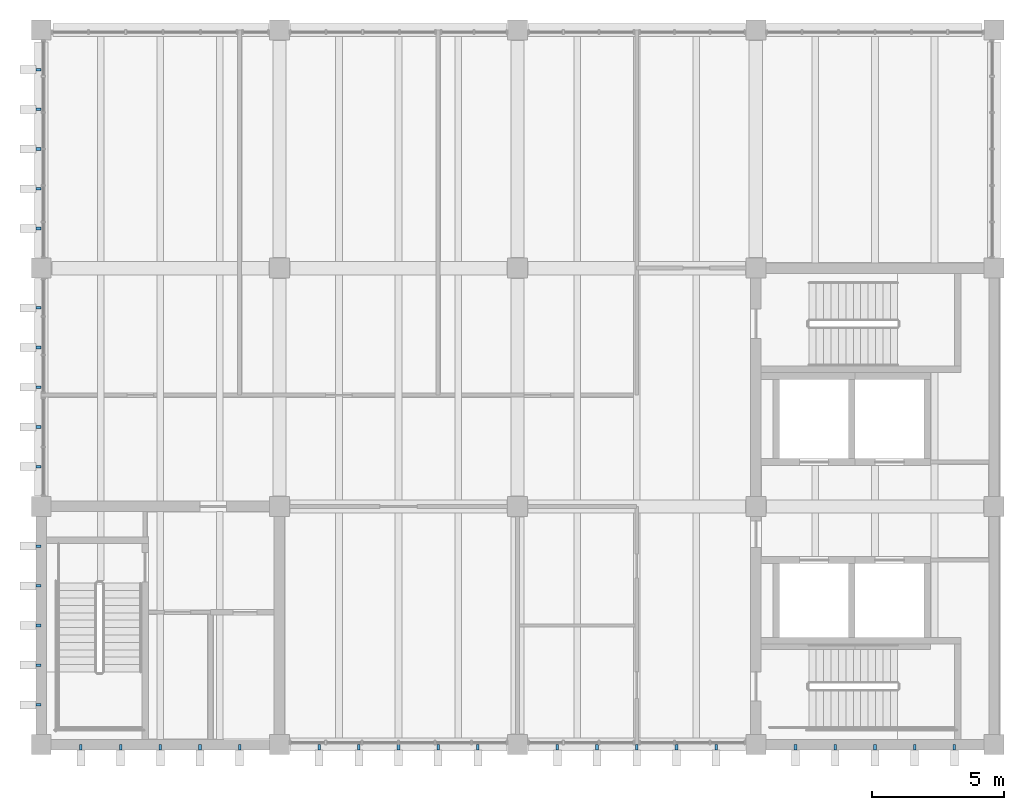
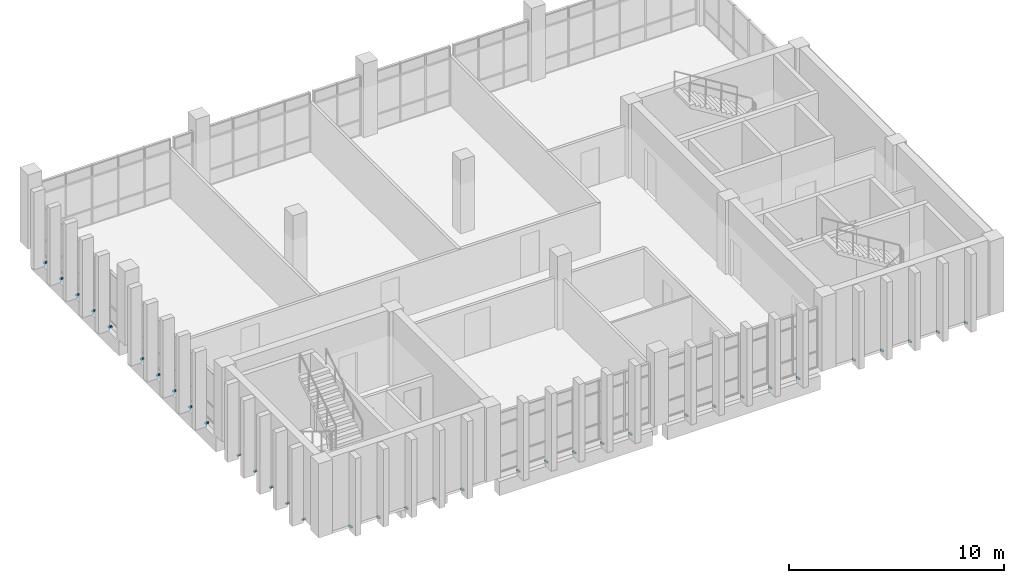
# One storey, part 11 of 14: 35 discrete accessories.
"""IFC4 building model written with IfcOpenShell, lengths in metres."""

from ifc_helpers import new_model, si_unit, direction, frame, origin, place, context, subcontext, project, spatial, polyline, outline, extrude, source, transform, mapped, material, type_object, element, save


model = new_model("IFC4")

# Units and contexts
model_context = context("Model", 3, precision=1e-05, world=origin(), true_north=direction((0.0, 1.0)))
body_context = subcontext(model_context, "Body", "Model", "MODEL_VIEW")
ifc_project = project(units=[si_unit("LENGTHUNIT", "METRE"), si_unit("AREAUNIT", "SQUARE_METRE"), si_unit("VOLUMEUNIT", "CUBIC_METRE"), si_unit("PLANEANGLEUNIT", "RADIAN"), si_unit("MASSUNIT", "GRAM", prefix="KILO")], contexts=[model_context])

# Site, building, storey
site_placement = place(None, origin())
site = spatial("IfcSite", under=ifc_project, at=site_placement, CompositionType="ELEMENT")
building_placement = place(site_placement, origin())
building = spatial("IfcBuilding", under=site, at=building_placement, Name="Merrow Basin Faculty of Sciences", CompositionType="ELEMENT")
storey_placement = place(building_placement, frame((0.0, 0.0, 27.0)))
storey = spatial("IfcBuildingStorey", under=building, at=storey_placement, Name="L06", CompositionType="ELEMENT", Elevation=27.0)

# Discrete accessories
ifc_material = material(Name="Steel ASTM A572 Gr 50", Category="steel")
discrete_accessory_type = type_object("IfcDiscreteAccessoryType", Name="Steel T bracket 100 x 80 fin", PredefinedType="BRACKET", material=ifc_material)
shared_shape = source(origin(), body_context, "Body", "SweptSolid", [
    extrude(outline(polyline([(0.0, 0.0), (0.10009765625, 0.0), (0.10009765625, 0.080078125), (0.0, 0.080078125), (0.0, 0.0)])), origin(), (0.0, 0.0, 1.0), 0.199951171875),
])
for number, where, z_axis, x_axis, name in (
    (1, (19.449951171875, 142.0, -0.199951171875), (0.0, -1.0, 0.0), (1.0, 0.0, 0.0), "Fin bracket SL06"),
    (2, (20.949951171875, 142.0, -0.199951171875), (0.0, -1.0, 0.0), (1.0, 0.0, 0.0), "Fin bracket SL06"),
    (3, (22.449951171875, 142.0, -0.199951171875), (0.0, -1.0, 0.0), (1.0, 0.0, 0.0), "Fin bracket SL06"),
    (4, (23.949951171875, 142.0, -0.199951171875), (0.0, -1.0, 0.0), (1.0, 0.0, 0.0), "Fin bracket SL06"),
    (5, (25.449951171875, 142.0, -0.199951171875), (0.0, -1.0, 0.0), (1.0, 0.0, 0.0), "Fin bracket SL06"),
    (6, (28.449951171875, 142.0, -0.199951171875), (0.0, -1.0, 0.0), (1.0, 0.0, 0.0), "Fin bracket SL06"),
    (7, (29.949951171875, 142.0, -0.199951171875), (0.0, -1.0, 0.0), (1.0, 0.0, 0.0), "Fin bracket SL06"),
    (8, (31.449951171875, 142.0, -0.199951171875), (0.0, -1.0, 0.0), (1.0, 0.0, 0.0), "Fin bracket SL06"),
    (9, (32.949951171875, 142.0, -0.199951171875), (0.0, -1.0, 0.0), (1.0, 0.0, 0.0), "Fin bracket SL06"),
    (10, (34.449951171875, 142.0, -0.199951171875), (0.0, -1.0, 0.0), (1.0, 0.0, 0.0), "Fin bracket SL06"),
    (11, (37.449951171875, 142.0, -0.199951171875), (0.0, -1.0, 0.0), (1.0, 0.0, 0.0), "Fin bracket SL06"),
    (12, (38.949951171875, 142.0, -0.199951171875), (0.0, -1.0, 0.0), (1.0, 0.0, 0.0), "Fin bracket SL06"),
    (13, (40.449951171875, 142.0, -0.199951171875), (0.0, -1.0, 0.0), (1.0, 0.0, 0.0), "Fin bracket SL06"),
    (14, (41.949951171875, 142.0, -0.199951171875), (0.0, -1.0, 0.0), (1.0, 0.0, 0.0), "Fin bracket SL06"),
    (15, (43.449951171875, 142.0, -0.199951171875), (0.0, -1.0, 0.0), (1.0, 0.0, 0.0), "Fin bracket SL06"),
    (16, (46.449951171875, 142.0, -0.199951171875), (0.0, -1.0, 0.0), (1.0, 0.0, 0.0), "Fin bracket SL06"),
    (17, (47.949951171875, 142.0, -0.199951171875), (0.0, -1.0, 0.0), (1.0, 0.0, 0.0), "Fin bracket SL06"),
    (18, (49.449951171875, 142.0, -0.199951171875), (0.0, -1.0, 0.0), (1.0, 0.0, 0.0), "Fin bracket SL06"),
    (19, (50.949951171875, 142.0, -0.199951171875), (0.0, -1.0, 0.0), (1.0, 0.0, 0.0), "Fin bracket SL06"),
    (20, (52.449951171875, 142.0, -0.199951171875), (0.0, -1.0, 0.0), (1.0, 0.0, 0.0), "Fin bracket SL06"),
    (21, (18.0, 143.550048828125, -0.199951171875), (-1.0, 0.0, 0.0), (0.0, -1.0, 0.0), "Fin bracket WL06"),
    (22, (18.0, 145.050048828125, -0.199951171875), (-1.0, 0.0, 0.0), (0.0, -1.0, 0.0), "Fin bracket WL06"),
    (23, (18.0, 146.550048828125, -0.199951171875), (-1.0, 0.0, 0.0), (0.0, -1.0, 0.0), "Fin bracket WL06"),
    (24, (18.0, 148.050048828125, -0.199951171875), (-1.0, 0.0, 0.0), (0.0, -1.0, 0.0), "Fin bracket WL06"),
    (25, (18.0, 149.550048828125, -0.199951171875), (-1.0, 0.0, 0.0), (0.0, -1.0, 0.0), "Fin bracket WL06"),
    (26, (18.0, 152.550048828125, -0.199951171875), (-1.0, 0.0, 0.0), (0.0, -1.0, 0.0), "Fin bracket WL06"),
    (27, (18.0, 154.050048828125, -0.199951171875), (-1.0, 0.0, 0.0), (0.0, -1.0, 0.0), "Fin bracket WL06"),
    (28, (18.0, 155.550048828125, -0.199951171875), (-1.0, 0.0, 0.0), (0.0, -1.0, 0.0), "Fin bracket WL06"),
    (29, (18.0, 157.050048828125, -0.199951171875), (-1.0, 0.0, 0.0), (0.0, -1.0, 0.0), "Fin bracket WL06"),
    (30, (18.0, 158.550048828125, -0.199951171875), (-1.0, 0.0, 0.0), (0.0, -1.0, 0.0), "Fin bracket WL06"),
    (31, (18.0, 161.550048828125, -0.199951171875), (-1.0, 0.0, 0.0), (0.0, -1.0, 0.0), "Fin bracket WL06"),
    (32, (18.0, 163.050048828125, -0.199951171875), (-1.0, 0.0, 0.0), (0.0, -1.0, 0.0), "Fin bracket WL06"),
    (33, (18.0, 164.550048828125, -0.199951171875), (-1.0, 0.0, 0.0), (0.0, -1.0, 0.0), "Fin bracket WL06"),
    (34, (18.0, 166.050048828125, -0.199951171875), (-1.0, 0.0, 0.0), (0.0, -1.0, 0.0), "Fin bracket WL06"),
    (35, (18.0, 167.550048828125, -0.199951171875), (-1.0, 0.0, 0.0), (0.0, -1.0, 0.0), "Fin bracket WL06"),
):
    element("IfcDiscreteAccessory", number, at=place(storey_placement, frame(where, z_axis=z_axis, x_axis=x_axis)), inside=storey, type_object=discrete_accessory_type, Name=name, PredefinedType="BRACKET", context=body_context, shape_type="MappedRepresentation", body=[
        mapped(shared_shape, transform((0.0, 0.0, 0.0), scale=1.0)),
    ])

save(model, "model.ifc")
